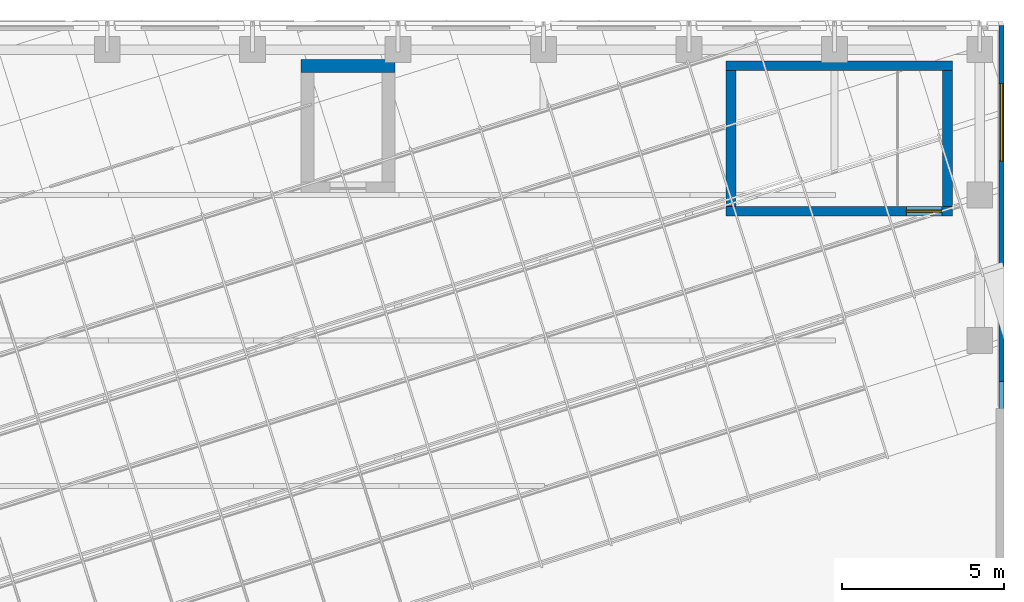
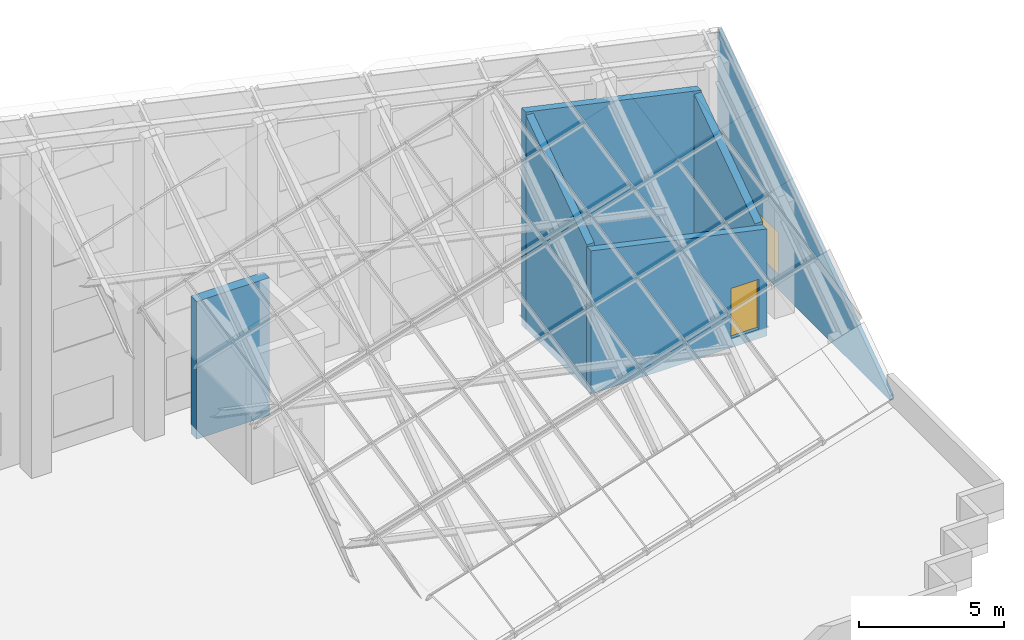
# One storey, part 13 of 14: 6 walls, 1 door, 1 window, 2 openings.
"""IFC4 building model written with IfcOpenShell, lengths in metres."""

from ifc_helpers import new_model, si_unit, direction, frame, frame_2d, origin, place, context, subcontext, project, spatial, polyline, rectangle, outline, extrude, material, layer, layer_set, type_object, element, fill, save


model = new_model("IFC4")

# Units and contexts
model_context = context("Model", 3, precision=1e-05, world=origin(), true_north=direction((0.0, 1.0)))
body_context = subcontext(model_context, "Body", "Model", "MODEL_VIEW")
ifc_project = project(units=[si_unit("LENGTHUNIT", "METRE"), si_unit("AREAUNIT", "SQUARE_METRE"), si_unit("VOLUMEUNIT", "CUBIC_METRE"), si_unit("PLANEANGLEUNIT", "RADIAN"), si_unit("MASSUNIT", "GRAM", prefix="KILO")], contexts=[model_context])

# Site, building, storey
site_placement = place(None, origin())
site = spatial("IfcSite", under=ifc_project, at=site_placement, CompositionType="ELEMENT")
building_placement = place(site_placement, origin())
building = spatial("IfcBuilding", under=site, at=building_placement, Name="Firuza Court", CompositionType="ELEMENT")
storey_placement = place(building_placement, frame((0.0, 0.0, 266.199951171875)))
storey = spatial("IfcBuildingStorey", under=building, at=storey_placement, Name="L68 Crown", CompositionType="ELEMENT", Elevation=266.199951171875)

# Wall, opening, door
ifc_material_1 = material(Name="Concrete C50/60", Category="concrete")
ifc_layer_1 = layer(ifc_material_1, 0.300048828125)
ifc_layer_set_1 = layer_set([ifc_layer_1], Name="Concrete C50/60")
wall_type_1 = type_object("IfcWallType", Name="Core wall 300 C50/60", PredefinedType="SHEAR", material=ifc_layer_set_1)
wall_1_placement = place(storey_placement, frame((37.14990234375, 53.5, -0.39990234375), z_axis=(0.0, 0.0, 1.0), x_axis=(1.0, 0.0, 0.0)))
wall_1 = element("IfcWall", 1, at=wall_1_placement, inside=storey, type_object=wall_type_1, Name="Core wall stair L68", PredefinedType="SHEAR", context=body_context, shape_type="SweptSolid", body=[
    extrude(outline(polyline([(0.0, 0.0), (7.0, 0.0), (7.0, 4.508056640625), (0.0, 6.033935546875), (0.0, 0.0)])), frame((0.0, 0.14990234375, 0.0), z_axis=(0.0, -1.0, 0.0), x_axis=(1.0, 0.0, 0.0)), (0.0, 0.0, 1.0), 0.300048828125),
])
opening_1_placement = place(wall_1_placement, frame((5.580078125, 0.0, 0.39990234375)))
opening_1 = element("IfcOpeningElement", 2, at=opening_1_placement, cuts=wall_1, Name="Opening D68001", PredefinedType="OPENING", context=body_context, shape_type="SweptSolid", body=[
    extrude(rectangle(XDim=1.10009765625, YDim=2.10009765625, at=frame_2d((0.550048828125, 1.050048828125))), frame((0.0, 0.162109375, 0.0), z_axis=(0.0, -1.0, 0.0), x_axis=(1.0, 0.0, 0.0)), (0.0, 0.0, 1.0), 0.323974609375),
])
ifc_material_2 = material(Name="Timber door leaf in hardwood frame", Category="wood")
door_type = type_object("IfcDoorType", Name="Stair door 1100", OperationType="SINGLE_SWING_LEFT", PredefinedType="DOOR", material=ifc_material_2)
door_placement = place(opening_1_placement, origin())
door = element("IfcDoor", 3, at=door_placement, inside=storey, type_object=door_type, Name="Stair door S1", OperationType="SINGLE_SWING_LEFT", OverallHeight=2.10009765625, OverallWidth=1.10009765625, PredefinedType="DOOR", context=body_context, shape_type="SweptSolid", body=[
    extrude(rectangle(XDim=1.10009765625, YDim=2.10009765625, at=frame_2d((0.550048828125, 1.050048828125))), frame((0.0, 0.02490234375, 0.0), z_axis=(0.0, -1.0, 0.0), x_axis=(1.0, 0.0, 0.0)), (0.0, 0.0, 1.0), 0.050048828125),
])
fill(opening_1, door)

# Walls
wall_2_placement = place(storey_placement, frame((37.14990234375, 58.0, -0.39990234375), z_axis=(0.0, 0.0, 1.0), x_axis=(1.0, 0.0, 0.0)))
element("IfcWall", 4, at=wall_2_placement, inside=storey, type_object=wall_type_1, Name="Core wall stair L68", PredefinedType="SHEAR", context=body_context, shape_type="SweptSolid", body=[
    extrude(outline(polyline([(0.0, 0.0), (7.0, 0.0), (7.0, 7.626953125), (0.0, 9.15283203125), (0.0, 0.0)])), frame((0.0, 0.14990234375, 0.0), z_axis=(0.0, -1.0, 0.0), x_axis=(1.0, 0.0, 0.0)), (0.0, 0.0, 1.0), 0.300048828125),
])
wall_3_placement = place(storey_placement, frame((37.300048828125, 53.64990234375, -0.39990234375), z_axis=(0.0, 0.0, 1.0), x_axis=(0.0, 1.0, 0.0)))
element("IfcWall", 5, at=wall_3_placement, inside=storey, type_object=wall_type_1, Name="Core wall stair L68", PredefinedType="SHEAR", context=body_context, shape_type="SweptSolid", body=[
    extrude(outline(polyline([(0.0, 0.0), (4.2001953125, 0.0), (4.199951171875, 9.015869140625), (0.0, 6.10498046875), (0.0, 0.0)])), frame((0.0, 0.14990234375, 0.0), z_axis=(0.0, -1.0, 0.0), x_axis=(1.0, 0.0, 0.0)), (0.0, 0.0, 1.0), 0.300048828125),
])
wall_4_placement = place(storey_placement, frame((44.0, 53.64990234375, -0.39990234375), z_axis=(0.0, 0.0, 1.0), x_axis=(0.0, 1.0, 0.0)))
element("IfcWall", 6, at=wall_4_placement, inside=storey, type_object=wall_type_1, Name="Core wall stair L68", PredefinedType="SHEAR", context=body_context, shape_type="SweptSolid", body=[
    extrude(outline(polyline([(0.0, 0.0), (4.2001953125, 0.0), (4.199951171875, 7.555908203125), (0.0, 4.64501953125), (0.0, 0.0)])), frame((0.0, 0.14990234375, 0.0), z_axis=(0.0, -1.0, 0.0), x_axis=(1.0, 0.0, 0.0)), (0.0, 0.0, 1.0), 0.300048828125),
])
ifc_layer_2 = layer(ifc_material_1, 0.39990234375)
ifc_layer_set_2 = layer_set([ifc_layer_2], Name="Concrete C50/60")
wall_type_2 = type_object("IfcWallType", Name="Core wall 400 C50/60", PredefinedType="SHEAR", material=ifc_layer_set_2)
wall_5_placement = place(storey_placement, frame((24.0, 58.0, -0.39990234375), z_axis=(0.0, 0.0, 1.0), x_axis=(1.0, 0.0, 0.0)))
element("IfcWall", 7, at=wall_5_placement, inside=storey, type_object=wall_type_2, Name="Core wall lift shaft L68", PredefinedType="SHEAR", context=body_context, shape_type="SweptSolid", body=[
    extrude(rectangle(XDim=2.89990234375, YDim=0.39990234375, at=frame_2d((1.449951171875, 0.0))), origin(), (0.0, 0.0, 1.0), 5.800048828125),
])

# Wall, opening, window
ifc_material_3 = material(Name="Ceramic tile", Category="ceramic")
ifc_layer_3 = layer(ifc_material_3, 0.02001953125)
ifc_material_4 = material(Name="Mineral wool insulation", Category="insulation")
ifc_layer_4 = layer(ifc_material_4, 0.050048828125)
ifc_material_5 = material(Name="Concrete C40/50 precast", Category="concrete")
ifc_layer_5 = layer(ifc_material_5, 0.080078125)
ifc_layer_set_3 = layer_set([ifc_layer_3, ifc_layer_4, ifc_layer_5], Name="Concrete C40/50 precast")
wall_type_3 = type_object("IfcWallType", Name="Precast cladding wall with turquoise TILE PANEL face 150", PredefinedType="STANDARD", material=ifc_layer_set_3)
wall_6_placement = place(storey_placement, frame((45.675048828125, 47.3662109375, 0.0), z_axis=(0.0, 0.0, 1.0), x_axis=(0.0, 1.0, 0.0)))
wall_6 = element("IfcWall", 8, at=wall_6_placement, inside=storey, type_object=wall_type_3, Name="Facade wall L68 E", PredefinedType="STANDARD", context=body_context, shape_type="SweptSolid", body=[
    extrude(outline(polyline([(0.0, 0.0), (11.8837890625, 0.0), (11.8837890625, 8.4365234375), (0.0, 0.199951171875), (0.0, 0.0)])), frame((0.0, 0.074951171875, 0.0), z_axis=(0.0, -1.0, 0.0), x_axis=(1.0, 0.0, 0.0)), (0.0, 0.0, 1.0), 0.14990234375),
])
opening_2_placement = place(wall_6_placement, frame((7.68359375, 0.0, 0.60009765625)))
opening_2 = element("IfcOpeningElement", 9, at=opening_2_placement, cuts=wall_6, Name="Opening LV1", PredefinedType="OPENING", context=body_context, shape_type="SweptSolid", body=[
    extrude(rectangle(XDim=2.39990234375, YDim=1.800048828125, at=frame_2d((1.199951171875, 0.89990234375))), frame((0.0, 0.0869140625, 0.0), z_axis=(0.0, -1.0, 0.0), x_axis=(1.0, 0.0, 0.0)), (0.0, 0.0, 1.0), 0.173828125),
])
ifc_material_6 = material(Name="Aluminium weather louvre with insect mesh", Category="aluminium")
window_type = type_object("IfcWindowType", Name="Plant louvre 2400 x 1800", PartitioningType="SINGLE_PANEL", PredefinedType="USERDEFINED", material=ifc_material_6)
window_placement = place(opening_2_placement, origin())
window = element("IfcWindow", 10, at=window_placement, inside=storey, type_object=window_type, Name="Louvre L68", ObjectType="LOUVRE", OverallHeight=1.800048828125, OverallWidth=2.39990234375, PartitioningType="SINGLE_PANEL", PredefinedType="USERDEFINED", context=body_context, shape_type="SweptSolid", body=[
    extrude(rectangle(XDim=2.39990234375, YDim=1.800048828125, at=frame_2d((1.199951171875, 0.89990234375))), frame((0.0, 0.030029296875, 0.0), z_axis=(0.0, -1.0, 0.0), x_axis=(1.0, 0.0, 0.0)), (0.0, 0.0, 1.0), 0.06005859375),
])
fill(opening_2, window)

save(model, "model.ifc")
